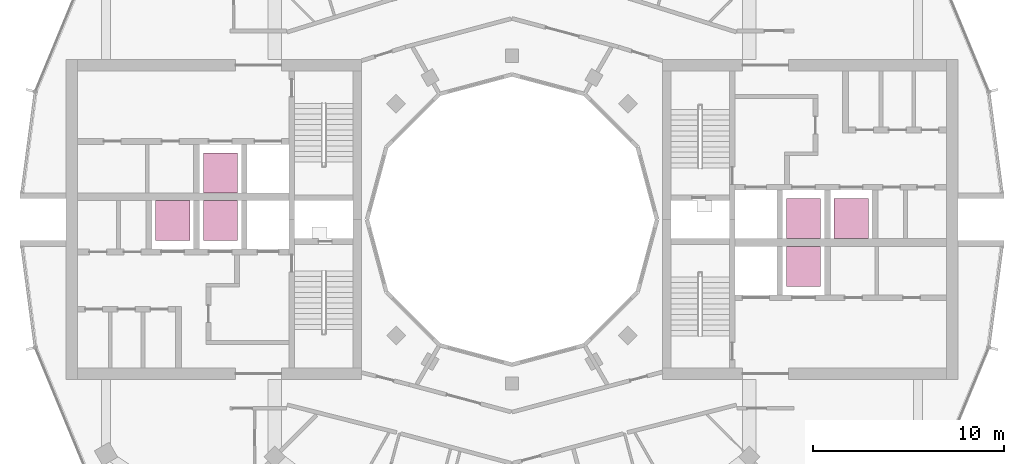
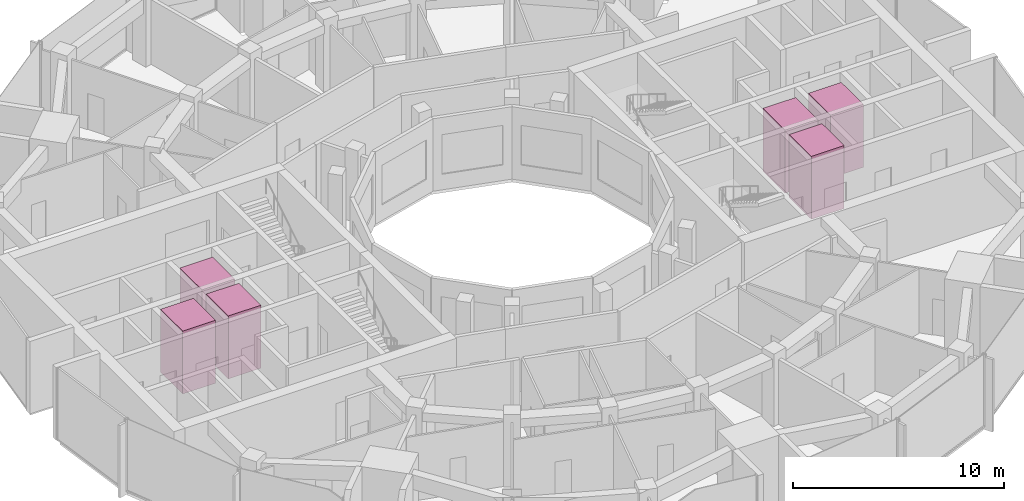
# One storey, part 15 of 15: 6 transport elements.
"""IFC4 building model written with IfcOpenShell, lengths in metres."""

from ifc_helpers import new_model, si_unit, direction, frame, origin, origin_2d, place, context, subcontext, project, spatial, rectangle, extrude, material, type_object, element, save


model = new_model("IFC4")

# Units and contexts
model_context = context("Model", 3, precision=1e-05, world=origin(), true_north=direction((0.0, 1.0)))
body_context = subcontext(model_context, "Body", "Model", "MODEL_VIEW")
ifc_project = project(units=[si_unit("LENGTHUNIT", "METRE"), si_unit("AREAUNIT", "SQUARE_METRE"), si_unit("VOLUMEUNIT", "CUBIC_METRE"), si_unit("PLANEANGLEUNIT", "RADIAN"), si_unit("MASSUNIT", "GRAM", prefix="KILO")], contexts=[model_context])

# Site, building, storey
site_placement = place(None, origin())
site = spatial("IfcSite", under=ifc_project, at=site_placement, CompositionType="ELEMENT")
building_placement = place(site_placement, origin())
building = spatial("IfcBuilding", under=site, at=building_placement, Name="Torre Brocal", CompositionType="ELEMENT")
storey_placement = place(building_placement, frame((0.0, 0.0, 254.10009765625)))
storey = spatial("IfcBuildingStorey", under=building, at=storey_placement, Name="L58", CompositionType="ELEMENT", Elevation=254.10009765625)

# Transport elements
ifc_material = material(Name="Stainless steel AISI 316", Category="steel")
transport_element_type = type_object("IfcTransportElementType", Name="PASSENGER LIFT", PredefinedType="ELEVATOR", material=ifc_material)
for number, where, z_axis, x_axis, name in (
    (1, (95.300048828125, 75.050048828125, 0.0), (0.0, 0.0, 1.0), (1.0, 0.0, 0.0), "HIGH RISE LIFT E-HR1"),
    (2, (95.300048828125, 72.550048828125, 0.0), (0.0, 0.0, 1.0), (1.0, 0.0, 0.0), "HIGH RISE LIFT E-HR2"),
    (3, (97.800048828125, 75.050048828125, 0.0), (0.0, 0.0, 1.0), (1.0, 0.0, 0.0), "HIGH RISE LIFT E-HR3"),
    (4, (64.699951171875, 74.949951171875, 0.0), (0.0, 0.0, 1.0), (1.0, 0.0, 0.0), "HIGH RISE LIFT W-HR1"),
    (5, (64.699951171875, 77.449951171875, 0.0), (0.0, 0.0, 1.0), (1.0, 0.0, 0.0), "HIGH RISE LIFT W-HR2"),
    (6, (62.199951171875, 74.949951171875, 0.0), (0.0, 0.0, 1.0), (1.0, 0.0, 0.0), "HIGH RISE LIFT W-HR3"),
):
    element("IfcTransportElement", number, at=place(storey_placement, frame(where, z_axis=z_axis, x_axis=x_axis)), inside=storey, type_object=transport_element_type, Name=name, PredefinedType="ELEVATOR", context=body_context, shape_type="SweptSolid", body=[
        extrude(rectangle(XDim=1.800048828125, YDim=2.10009765625, at=origin_2d()), origin(), (0.0, 0.0, 1.0), 3.64990234375),
    ])

save(model, "model.ifc")
